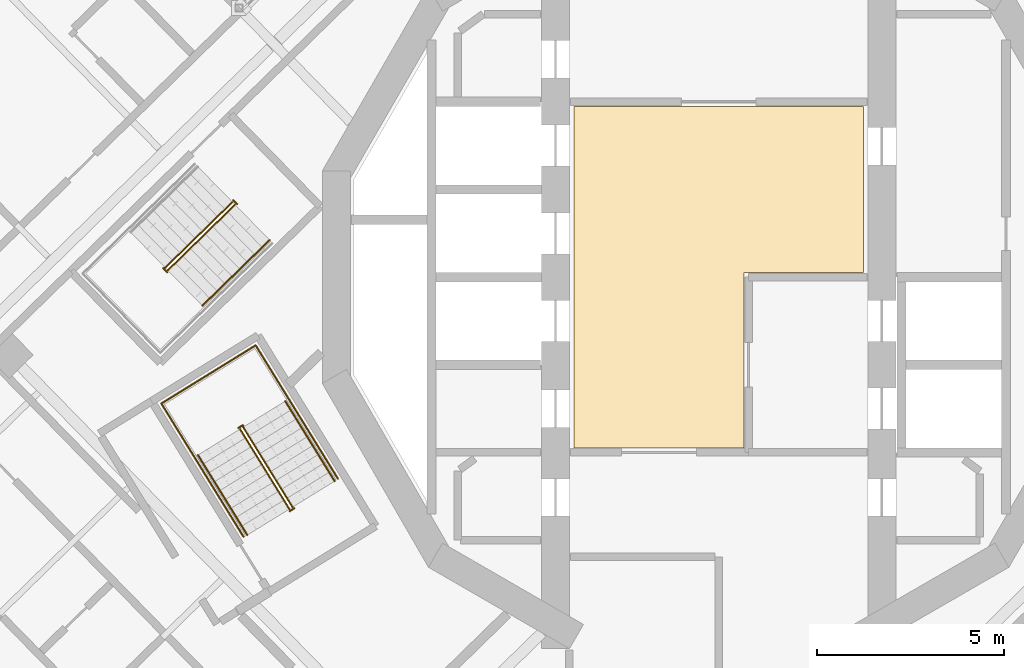
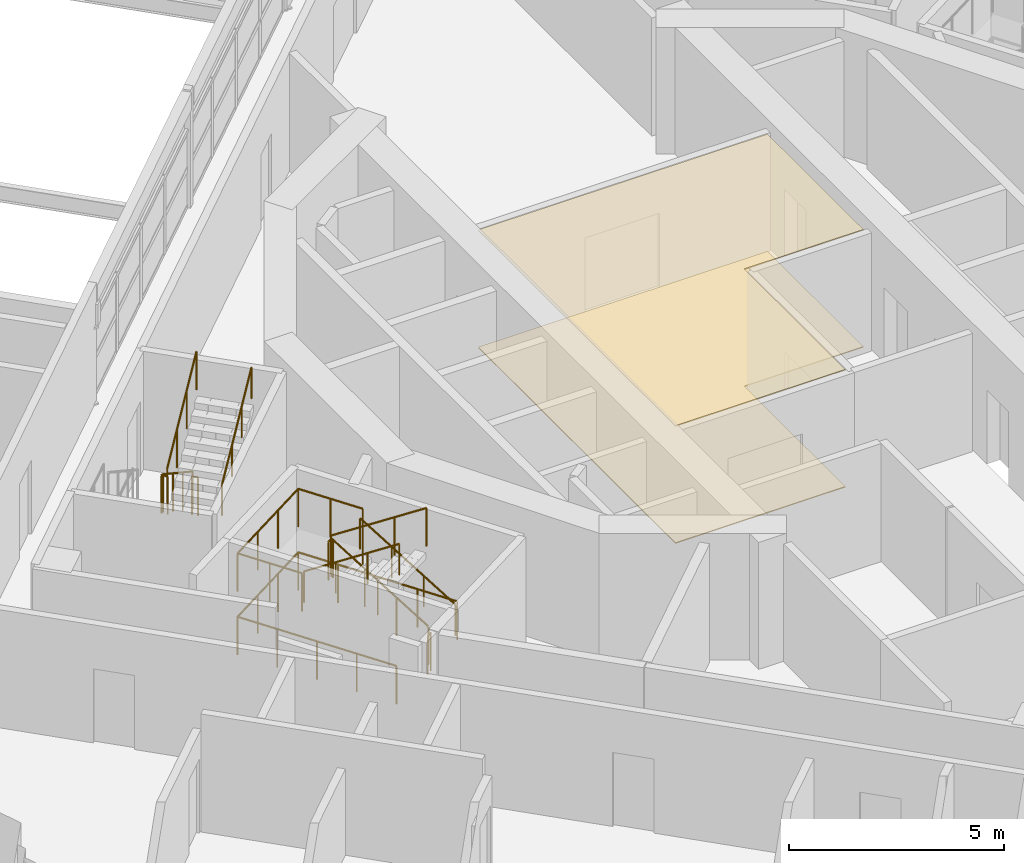
# One storey, part 14 of 18: 11 railings, 2 coverings.
"""IFC4 building model written with IfcOpenShell, lengths in metres."""

import ifcopenshell
import ifcopenshell.guid

model = None  # the IFC model being written
_history = None  # IfcOwnerHistory: only IFC2X3 demands one
_inside = {}  # id of a spatial element -> (the spatial element, [elements in it])
_under = {}  # id of a project, library or spatial element -> (it, [spatial elements below it])
_declared = {}  # id of a project -> (the project, [libraries it declares])
_typed = {}  # id of a type object -> (the type object, [elements of that type])
_made_of = {}  # id of a material, layer set ... -> (it, [elements and type objects made of it])


def new_model(schema):
    """Start an empty IFC model of exactly this schema.

    Asked for "IFC4X3", IfcOpenShell would pick the latest addendum, in which some entities
    have other attributes; the version numbers below select the first issue.
    IFC2X3 requires an IfcOwnerHistory on every rooted entity: one is made here for all.
    """
    global model, _history
    if schema == "IFC4X3":
        model = ifcopenshell.file(schema_version=(4, 3, 0, 0))
    else:
        model = ifcopenshell.file(schema=schema)
    _inside.clear()
    _under.clear()
    _declared.clear()
    _typed.clear()
    _made_of.clear()
    _history = None
    if model.schema == "IFC2X3":
        org = make("IfcOrganization", Name="unknown")
        user = make(
            "IfcPersonAndOrganization",
            ThePerson=make("IfcPerson", FamilyName="unknown"),
            TheOrganization=org,
        )
        app = make(
            "IfcApplication",
            ApplicationDeveloper=org,
            Version="unknown",
            ApplicationFullName="unknown",
            ApplicationIdentifier="unknown",
        )
        _history = make(
            "IfcOwnerHistory",
            OwningUser=user,
            OwningApplication=app,
            ChangeAction="ADDED",
            CreationDate=0,
        )
    return model


def make(cls, **values):
    """One entity of the class cls with the attributes given. An attribute that is None is left unset."""
    return model.create_entity(
        cls, **{name: value for name, value in values.items() if value is not None}
    )


def rooted(cls, **values):
    """An entity with a GlobalId (a new one), such as an element, a storey or a relation."""
    return make(cls, GlobalId=ifcopenshell.guid.new(), OwnerHistory=_history, **values)


def si_unit(unit_type, name, prefix=None):
    """IfcSIUnit, for example si_unit("LENGTHUNIT", "METRE", prefix="MILLI")."""
    return make("IfcSIUnit", UnitType=unit_type, Prefix=prefix, Name=name)


def assignment(units):
    """IfcUnitAssignment: the units of a project."""
    return None if units is None else make("IfcUnitAssignment", Units=units)


def point(xyz):
    """IfcCartesianPoint."""
    return None if xyz is None else make("IfcCartesianPoint", Coordinates=xyz)


def direction(xyz):
    """IfcDirection."""
    return None if xyz is None else make("IfcDirection", DirectionRatios=xyz)


def frame(location, z_axis=None, x_axis=None):
    """IfcAxis2Placement3D, a coordinate frame: its origin and axes. An axis left out is left unset."""
    return make(
        "IfcAxis2Placement3D",
        Location=point(location),
        Axis=direction(z_axis),
        RefDirection=direction(x_axis),
    )


def frame_2d(location, x_axis=None):
    """IfcAxis2Placement2D, a coordinate frame in the plane: its origin and x axis."""
    return make(
        "IfcAxis2Placement2D", Location=point(location), RefDirection=direction(x_axis)
    )


def origin():
    """The frame at (0, 0, 0) with its axes left unset."""
    return frame((0.0, 0.0, 0.0))


def origin_2d():
    """The frame at (0, 0) in the plane with its x axis left unset."""
    return frame_2d((0.0, 0.0))


def place(relative_to, where):
    """IfcLocalPlacement: puts the frame where relative to a parent placement (None: the world)."""
    return make(
        "IfcLocalPlacement", PlacementRelTo=relative_to, RelativePlacement=where
    )


def context(
    kind, dimensions, precision=None, world=None, true_north=None, identifier=None
):
    """IfcGeometricRepresentationContext, for example the 3D "Model" context."""
    return make(
        "IfcGeometricRepresentationContext",
        ContextIdentifier=identifier,
        ContextType=kind,
        CoordinateSpaceDimension=dimensions,
        Precision=precision,
        WorldCoordinateSystem=world,
        TrueNorth=true_north,
    )


def subcontext(parent, identifier, kind, view, scale=None):
    """IfcGeometricRepresentationSubContext, for example "Body" below "Model"."""
    return make(
        "IfcGeometricRepresentationSubContext",
        ContextIdentifier=identifier,
        ContextType=kind,
        ParentContext=parent,
        TargetScale=scale,
        TargetView=view,
    )


def project(units=None, contexts=None):
    """IfcProject with its units and contexts."""
    return rooted(
        "IfcProject",
        Name="project",
        RepresentationContexts=contexts,
        UnitsInContext=assignment(units),
    )


def spatial(cls, under=None, at=None, **own):
    """A site, building, storey or space (cls), placed at a placement, below another one or the project."""
    s = rooted(cls, ObjectPlacement=at, **own)
    if under is not None:
        _under.setdefault(under.id(), (under, []))[1].append(s)
    return s


def polyline(points):
    """IfcPolyline through the points."""
    return make("IfcPolyline", Points=[point(p) for p in points])


def profile(cls, at=None, kind="AREA", **sizes):
    """A parametric profile (cls). Its sizes go by their IFC names, for example OverallWidth=200.0."""
    return make(cls, ProfileType=kind, Position=at, **sizes)


def circle(**sizes):
    """IfcCircleProfileDef."""
    return profile("IfcCircleProfileDef", **sizes)


def outline(outer, holes=None, kind="AREA"):
    """IfcArbitraryClosedProfileDef: a profile drawn as a closed curve; with holes, ...WithVoids."""
    if holes is None:
        return make("IfcArbitraryClosedProfileDef", ProfileType=kind, OuterCurve=outer)
    return make(
        "IfcArbitraryProfileDefWithVoids",
        ProfileType=kind,
        OuterCurve=outer,
        InnerCurves=holes,
    )


def extrude(swept, where, along, depth):
    """IfcExtrudedAreaSolid: the profile swept, set in the frame where, extruded along a direction by depth."""
    return make(
        "IfcExtrudedAreaSolid",
        SweptArea=swept,
        Position=where,
        ExtrudedDirection=direction(along),
        Depth=depth,
    )


def shape(context_of_items, identifier, shape_type, items):
    """IfcShapeRepresentation: the items that make up one representation, for example the "Body"."""
    return make(
        "IfcShapeRepresentation",
        ContextOfItems=context_of_items,
        RepresentationIdentifier=identifier,
        RepresentationType=shape_type,
        Items=items,
    )


def material(Name=None, Category=None):
    """IfcMaterial."""
    return make("IfcMaterial", Name=Name, Category=Category)


def layer(
    of_material, thickness, ventilated=None, Name=None, Category=None, Priority=None
):
    """IfcMaterialLayer: one layer of a wall or slab, of a material (None: an air gap)."""
    return make(
        "IfcMaterialLayer",
        Material=of_material,
        LayerThickness=thickness,
        IsVentilated=ventilated,
        Name=Name,
        Category=Category,
        Priority=Priority,
    )


def layer_set(layers, Name=None):
    """IfcMaterialLayerSet."""
    return make("IfcMaterialLayerSet", MaterialLayers=layers, LayerSetName=Name)


def made_of(thing, what):
    """Note that an element or type object is made of a material, layer set ...; save() writes the relation."""
    if what is not None:
        _made_of.setdefault(what.id(), (what, []))[1].append(thing)
    return thing


def type_object(cls, material=None, **own):
    """A type object (cls), such as IfcWallType, which elements share."""
    return made_of(rooted(cls, **own), material)


def element(
    cls,
    number,
    at=None,
    inside=None,
    cuts=None,
    type_object=None,
    material=None,
    context=None,
    identifier="Body",
    shape_type=None,
    held_by="IfcProductDefinitionShape",
    body=None,
    shapes=None,
    **own,
):
    """One element of the class cls, such as IfcWall. Its Tag is "e" and its number.

    at: its placement. inside: the storey or other place that contains it. cuts: it is an
    opening in that element (IfcRelVoidsElement). A single representation is given by context,
    identifier, shape_type and body (its items); several are given by shapes. held_by: the class
    of the entity that holds the representations. save() writes the other relations.
    """
    e = rooted(cls, Tag="e%d" % number, ObjectPlacement=at, **own)
    if body is not None:
        shapes = [shape(context, identifier, shape_type, body)]
    if shapes is not None:
        e.Representation = make(held_by, Representations=shapes)
    if inside is not None:
        _inside.setdefault(inside.id(), (inside, []))[1].append(e)
    if cuts is not None:
        rooted(
            "IfcRelVoidsElement", RelatingBuildingElement=cuts, RelatedOpeningElement=e
        )
    if type_object is not None:
        _typed.setdefault(type_object.id(), (type_object, []))[1].append(e)
    return made_of(e, material)


def aggregate(whole, parts):
    """IfcRelAggregates: a whole, such as a stair, and the parts it consists of."""
    return rooted("IfcRelAggregates", RelatingObject=whole, RelatedObjects=parts)


def save(model, path):
    """Write the relations noted so far, then the file.

    IfcRelAggregates (storeys below a building ...), IfcRelContainedInSpatialStructure (elements
    in a storey), IfcRelDefinesByType, IfcRelAssociatesMaterial and IfcRelDeclares: one each for
    every whole, place, type object, material and project.
    """
    for whole, parts in _under.values():
        aggregate(whole, parts)
    for where, things in _inside.values():
        rooted(
            "IfcRelContainedInSpatialStructure",
            RelatedElements=things,
            RelatingStructure=where,
        )
    for kind, things in _typed.values():
        rooted("IfcRelDefinesByType", RelatedObjects=things, RelatingType=kind)
    for what, things in _made_of.values():
        rooted("IfcRelAssociatesMaterial", RelatedObjects=things, RelatingMaterial=what)
    for by, libraries in _declared.values():
        rooted("IfcRelDeclares", RelatingContext=by, RelatedDefinitions=libraries)
    model.write(path)


model = new_model("IFC4")

# Units and contexts
model_context = context("Model", 3, precision=1e-05, world=origin(), true_north=direction((0.0, 1.0)))
body_context = subcontext(model_context, "Body", "Model", "MODEL_VIEW")
ifc_project = project(units=[si_unit("LENGTHUNIT", "METRE"), si_unit("AREAUNIT", "SQUARE_METRE"), si_unit("VOLUMEUNIT", "CUBIC_METRE"), si_unit("PLANEANGLEUNIT", "RADIAN"), si_unit("MASSUNIT", "GRAM", prefix="KILO")], contexts=[model_context])

# Site, building, storey
site_placement = place(None, origin())
site = spatial("IfcSite", under=ifc_project, at=site_placement, CompositionType="ELEMENT")
building_placement = place(site_placement, origin())
building = spatial("IfcBuilding", under=site, at=building_placement, Name="Cantera Rosa Tower", CompositionType="ELEMENT")
storey_placement = place(building_placement, frame((0.0, 0.0, 219.800048828125)))
storey = spatial("IfcBuildingStorey", under=building, at=storey_placement, Name="L47", CompositionType="ELEMENT", Elevation=219.800048828125)

# Railings
ifc_material_1 = material(Name="Steel S355J2 (EN 10025-2)", Category="steel")
railing_type_1 = type_object("IfcRailingType", Name="STAIR GUARD 1100", PredefinedType="GUARDRAIL", material=ifc_material_1)
railing_1_placement = place(storey_placement, frame((-13.032958984375, 2.013427734375, 0.179931640625)))
element("IfcRailing", 1, at=railing_1_placement, inside=storey, type_object=railing_type_1, Name="L47 ST-43 stair guard 1", PredefinedType="GUARDRAIL", context=body_context, shape_type="SweptSolid", body=[
    extrude(circle(Radius=0.02392578125, at=origin_2d()), frame((0.0, 0.0, 1.076171875), z_axis=(-0.601672219931, -0.587818193466, 0.54079599776), x_axis=(0.698823692472, -0.715293958342, 0.0)), (0.0, 0.0, 1.0), 2.995849609375),
    extrude(circle(Radius=0.02392578125, at=origin_2d()), frame((-1.802490234375, -1.760986328125, 2.6962890625), z_axis=(-0.956987977523, -0.290127576896, 0.0), x_axis=(0.290127576896, -0.956987977523, 0.0)), (0.0, 0.0, 1.0), 0.056396484375),
    extrude(circle(Radius=0.02392578125, at=origin_2d()), frame((-1.8564453125, -1.77734375, 2.6962890625), z_axis=(0.698932947801, -0.715187202401, 0.0), x_axis=(0.715187202401, 0.698932947801, 0.0)), (0.0, 0.0, 1.0), 0.150146484375),
    extrude(circle(Radius=0.02099609375, at=origin_2d()), origin(), (0.0, 0.0, 1.0), 1.052001953125),
    extrude(circle(Radius=0.02099609375, at=origin_2d()), frame((-0.600830078125, -0.5869140625, 0.5400390625)), (0.0, 0.0, 1.0), 1.052001953125),
    extrude(circle(Radius=0.02099609375, at=origin_2d()), frame((-1.20166015625, -1.174072265625, 1.080078125)), (0.0, 0.0, 1.0), 1.052001953125),
    extrude(circle(Radius=0.02099609375, at=origin_2d()), frame((-1.802490234375, -1.760986328125, 1.6201171875)), (0.0, 0.0, 1.0), 1.052001953125),
    extrude(circle(Radius=0.02099609375, at=origin_2d()), frame((-1.8564453125, -1.77734375, 1.6201171875)), (0.0, 0.0, 1.0), 1.052001953125),
    extrude(circle(Radius=0.02099609375, at=origin_2d()), frame((-1.75146484375, -1.884765625, 1.6201171875)), (0.0, 0.0, 1.0), 1.052001953125),
])
railing_2_placement = place(storey_placement, frame((-14.766845703125, 0.182373046875, 1.97998046875)))
element("IfcRailing", 2, at=railing_2_placement, inside=storey, type_object=railing_type_1, Name="L47 ST-43 stair guard 2", PredefinedType="GUARDRAIL", context=body_context, shape_type="SweptSolid", body=[
    extrude(circle(Radius=0.02392578125, at=origin_2d()), frame((0.0, 0.0, 1.076171875), z_axis=(0.60169873645, 0.587844099419, 0.540738333515), x_axis=(-0.698823692472, 0.715293958342, 0.0)), (0.0, 0.0, 1.0), 2.99560546875),
    extrude(circle(Radius=0.02099609375, at=origin_2d()), origin(), (0.0, 0.0, 1.0), 1.052001953125),
    extrude(circle(Radius=0.02099609375, at=origin_2d()), frame((0.600830078125, 0.5869140625, 0.5400390625)), (0.0, 0.0, 1.0), 1.052001953125),
    extrude(circle(Radius=0.02099609375, at=origin_2d()), frame((1.20166015625, 1.174072265625, 1.079833984375)), (0.0, 0.0, 1.0), 1.052001953125),
    extrude(circle(Radius=0.02099609375, at=origin_2d()), frame((1.802490234375, 1.760986328125, 1.619873046875)), (0.0, 0.0, 1.0), 1.052001953125),
])
railing_3_placement = place(storey_placement, frame((-13.01513671875, 2.06689453125, 0.0)))
element("IfcRailing", 3, at=railing_3_placement, inside=storey, type_object=railing_type_1, Name="L47 ST-43 stair guard 3", PredefinedType="GUARDRAIL", context=body_context, shape_type="SweptSolid", body=[
    extrude(circle(Radius=0.02392578125, at=origin_2d()), frame((0.0, 0.0, 1.076171875), z_axis=(0.698914008722, -0.715205710557, 0.0), x_axis=(0.715205710557, 0.698914008722, 0.0)), (0.0, 0.0, 1.0), 0.14990234375),
    extrude(circle(Radius=0.02099609375, at=origin_2d()), origin(), (0.0, 0.0, 1.0), 1.052001953125),
    extrude(circle(Radius=0.02099609375, at=origin_2d()), frame((0.104736328125, -0.107177734375, 0.0)), (0.0, 0.0, 1.0), 1.052001953125),
])
railing_4_placement = place(storey_placement, frame((-11.42333984375, -6.165771484375, 0.179931640625)))
element("IfcRailing", 4, at=railing_4_placement, inside=storey, type_object=railing_type_1, Name="L47 ST-44 stair guard 1", PredefinedType="GUARDRAIL", context=body_context, shape_type="SweptSolid", body=[
    extrude(circle(Radius=0.02392578125, at=origin_2d()), frame((0.0, 0.0, 1.076171875), z_axis=(-0.441609067481, 0.715913574058, 0.540785711718), x_axis=(-0.851102330005, -0.524999832248, 0.0)), (0.0, 0.0, 1.0), 2.995849609375),
    extrude(circle(Radius=0.02392578125, at=origin_2d()), frame((-1.322998046875, 2.144775390625, 2.6962890625), z_axis=(-0.073711968402, 0.997279572494, 0.0), x_axis=(-0.997279572494, -0.073711968402, 0.0)), (0.0, 0.0, 1.0), 0.056396484375),
    extrude(circle(Radius=0.02392578125, at=origin_2d()), frame((-1.3271484375, 2.200927734375, 2.6962890625), z_axis=(-0.851546489876, -0.524279100842, 0.0), x_axis=(0.524279100842, -0.851546489876, 0.0)), (0.0, 0.0, 1.0), 0.14990234375),
    extrude(circle(Radius=0.02099609375, at=origin_2d()), origin(), (0.0, 0.0, 1.0), 1.052001953125),
    extrude(circle(Radius=0.02099609375, at=origin_2d()), frame((-0.44091796875, 0.71484375, 0.5400390625)), (0.0, 0.0, 1.0), 1.052001953125),
    extrude(circle(Radius=0.02099609375, at=origin_2d()), frame((-0.882080078125, 1.429931640625, 1.080078125)), (0.0, 0.0, 1.0), 1.052001953125),
    extrude(circle(Radius=0.02099609375, at=origin_2d()), frame((-1.322998046875, 2.144775390625, 1.6201171875)), (0.0, 0.0, 1.0), 1.052001953125),
    extrude(circle(Radius=0.02099609375, at=origin_2d()), frame((-1.3271484375, 2.200927734375, 1.6201171875)), (0.0, 0.0, 1.0), 1.052001953125),
    extrude(circle(Radius=0.02099609375, at=origin_2d()), frame((-1.454833984375, 2.122314453125, 1.6201171875)), (0.0, 0.0, 1.0), 1.052001953125),
])
railing_5_placement = place(storey_placement, frame((-12.82958984375, -4.072509765625, 1.97998046875)))
element("IfcRailing", 5, at=railing_5_placement, inside=storey, type_object=railing_type_1, Name="L47 ST-44 stair guard 2", PredefinedType="GUARDRAIL", context=body_context, shape_type="SweptSolid", body=[
    extrude(circle(Radius=0.02392578125, at=origin_2d()), frame((0.0, 0.0, 1.076171875), z_axis=(0.441562923896, -0.715970890813, 0.540747508315), x_axis=(0.851145618652, 0.524929648476, 0.0)), (0.0, 0.0, 1.0), 2.99560546875),
    extrude(circle(Radius=0.02099609375, at=origin_2d()), origin(), (0.0, 0.0, 1.0), 1.052001953125),
    extrude(circle(Radius=0.02099609375, at=origin_2d()), frame((0.44091796875, -0.71484375, 0.5400390625)), (0.0, 0.0, 1.0), 1.052001953125),
    extrude(circle(Radius=0.02099609375, at=origin_2d()), frame((0.8818359375, -1.429931640625, 1.079833984375)), (0.0, 0.0, 1.0), 1.052001953125),
    extrude(circle(Radius=0.02099609375, at=origin_2d()), frame((1.32275390625, -2.144775390625, 1.619873046875)), (0.0, 0.0, 1.0), 1.052001953125),
])
railing_6_placement = place(storey_placement, frame((-11.375, -6.19482421875, 0.0)))
element("IfcRailing", 6, at=railing_6_placement, inside=storey, type_object=railing_type_1, Name="L47 ST-44 stair guard 3", PredefinedType="GUARDRAIL", context=body_context, shape_type="SweptSolid", body=[
    extrude(circle(Radius=0.02392578125, at=origin_2d()), frame((0.0, 0.0, 1.076171875), z_axis=(-0.851546489876, -0.524279100842, 0.0), x_axis=(0.524279100842, -0.851546489876, 0.0)), (0.0, 0.0, 1.0), 0.14990234375),
    extrude(circle(Radius=0.02099609375, at=origin_2d()), origin(), (0.0, 0.0, 1.0), 1.052001953125),
    extrude(circle(Radius=0.02099609375, at=origin_2d()), frame((-0.127685546875, -0.07861328125, 0.0)), (0.0, 0.0, 1.0), 1.052001953125),
])
railing_7_placement = place(storey_placement, frame((-10.20751953125, -5.40185546875, 0.0)))
element("IfcRailing", 7, at=railing_7_placement, inside=storey, type_object=railing_type_1, Name="L47 ST-44 stair guard 4", PredefinedType="GUARDRAIL", context=body_context, shape_type="SweptSolid", body=[
    extrude(circle(Radius=0.02392578125, at=origin_2d()), frame((0.0, 0.0, 1.076171875), z_axis=(-0.524976478809, 0.851116735059, 0.0), x_axis=(-0.851116735059, -0.524976478809, 0.0)), (0.0, 0.0, 1.0), 4.197998046875),
    extrude(circle(Radius=0.02392578125, at=origin_2d()), frame((-2.203857421875, 3.572998046875, 1.076171875), z_axis=(-0.851132917336, -0.524950242429, 0.0), x_axis=(0.524950242429, -0.851132917336, 0.0)), (0.0, 0.0, 1.0), 2.969970703125),
    extrude(circle(Radius=0.02392578125, at=origin_2d()), frame((-4.731689453125, 2.013916015625, 1.076171875), z_axis=(0.524976478809, -0.851116735059, 0.0), x_axis=(0.851116735059, 0.524976478809, 0.0)), (0.0, 0.0, 1.0), 4.197998046875),
    extrude(circle(Radius=0.02099609375, at=origin_2d()), origin(), (0.0, 0.0, 1.0), 1.052001953125),
    extrude(circle(Radius=0.02099609375, at=origin_2d()), frame((-0.551025390625, 0.893310546875, 0.0)), (0.0, 0.0, 1.0), 1.052001953125),
    extrude(circle(Radius=0.02099609375, at=origin_2d()), frame((-1.10205078125, 1.78662109375, 0.0)), (0.0, 0.0, 1.0), 1.052001953125),
    extrude(circle(Radius=0.02099609375, at=origin_2d()), frame((-1.65283203125, 2.6796875, 0.0)), (0.0, 0.0, 1.0), 1.052001953125),
    extrude(circle(Radius=0.02099609375, at=origin_2d()), frame((-2.203857421875, 3.572998046875, 0.0)), (0.0, 0.0, 1.0), 1.052001953125),
    extrude(circle(Radius=0.02099609375, at=origin_2d()), frame((-3.04638671875, 3.05322265625, 0.0)), (0.0, 0.0, 1.0), 1.052001953125),
    extrude(circle(Radius=0.02099609375, at=origin_2d()), frame((-3.88916015625, 2.53369140625, 0.0)), (0.0, 0.0, 1.0), 1.052001953125),
    extrude(circle(Radius=0.02099609375, at=origin_2d()), frame((-4.731689453125, 2.013916015625, 0.0)), (0.0, 0.0, 1.0), 1.052001953125),
    extrude(circle(Radius=0.02099609375, at=origin_2d()), frame((-4.1806640625, 1.12060546875, 0.0)), (0.0, 0.0, 1.0), 1.052001953125),
    extrude(circle(Radius=0.02099609375, at=origin_2d()), frame((-3.6298828125, 0.2275390625, 0.0)), (0.0, 0.0, 1.0), 1.052001953125),
    extrude(circle(Radius=0.02099609375, at=origin_2d()), frame((-3.078857421875, -0.665771484375, 0.0)), (0.0, 0.0, 1.0), 1.052001953125),
    extrude(circle(Radius=0.02099609375, at=origin_2d()), frame((-2.52783203125, -1.55908203125, 0.0)), (0.0, 0.0, 1.0), 1.052001953125),
])
railing_8_placement = place(storey_placement, frame((-11.517822265625, -3.27734375, 1.800048828125)))
element("IfcRailing", 8, at=railing_8_placement, inside=storey, type_object=railing_type_1, Name="L47 ST-44 stair guard 5", PredefinedType="GUARDRAIL", context=body_context, shape_type="SweptSolid", body=[
    extrude(circle(Radius=0.02392578125, at=origin_2d()), frame((0.0, 0.0, 1.076171875), z_axis=(-0.525025534833, 0.851086474909, 0.0), x_axis=(-0.851086474909, -0.525025534833, 0.0)), (0.0, 0.0, 1.0), 1.701904296875),
    extrude(circle(Radius=0.02392578125, at=origin_2d()), frame((-0.8935546875, 1.448486328125, 1.076171875), z_axis=(-0.851132917336, -0.524950242429, 0.0), x_axis=(0.524950242429, -0.851132917336, 0.0)), (0.0, 0.0, 1.0), 2.969970703125),
    extrude(circle(Radius=0.02392578125, at=origin_2d()), frame((-3.42138671875, -0.110595703125, 1.076171875), z_axis=(0.524961441845, -0.851126009811, 0.0), x_axis=(0.851126009811, 0.524961441845, 0.0)), (0.0, 0.0, 1.0), 1.7021484375),
    extrude(circle(Radius=0.02099609375, at=origin_2d()), origin(), (0.0, 0.0, 1.0), 1.052001953125),
    extrude(circle(Radius=0.02099609375, at=origin_2d()), frame((-0.44677734375, 0.72412109375, 0.0)), (0.0, 0.0, 1.0), 1.052001953125),
    extrude(circle(Radius=0.02099609375, at=origin_2d()), frame((-0.8935546875, 1.448486328125, 0.0)), (0.0, 0.0, 1.0), 1.052001953125),
    extrude(circle(Radius=0.02099609375, at=origin_2d()), frame((-1.736083984375, 0.9287109375, 0.0)), (0.0, 0.0, 1.0), 1.052001953125),
    extrude(circle(Radius=0.02099609375, at=origin_2d()), frame((-2.578857421875, 0.4091796875, 0.0)), (0.0, 0.0, 1.0), 1.052001953125),
    extrude(circle(Radius=0.02099609375, at=origin_2d()), frame((-3.42138671875, -0.110595703125, 0.0)), (0.0, 0.0, 1.0), 1.052001953125),
    extrude(circle(Radius=0.02099609375, at=origin_2d()), frame((-2.974609375, -0.8349609375, 0.0)), (0.0, 0.0, 1.0), 1.052001953125),
    extrude(circle(Radius=0.02099609375, at=origin_2d()), frame((-2.52783203125, -1.559326171875, 0.0)), (0.0, 0.0, 1.0), 1.052001953125),
])
ifc_material_2 = material(Name="Steel S355J2 (EN 10025-2)", Category="steel")
railing_type_2 = type_object("IfcRailingType", Name="STAIR HANDRAIL 900", PredefinedType="HANDRAIL", material=ifc_material_2)
railing_9_placement = place(storey_placement, frame((-13.84033203125, -0.76611328125, 1.97998046875)))
element("IfcRailing", 9, at=railing_9_placement, inside=storey, type_object=railing_type_2, Name="L47 ST-43 stair handrail 2", PredefinedType="HANDRAIL", context=body_context, shape_type="SweptSolid", body=[
    extrude(circle(Radius=0.02392578125, at=origin_2d()), frame((0.0, 0.0, 0.8759765625), z_axis=(0.601750724892, 0.587815273381, 0.540711817397), x_axis=(-0.698775265409, 0.715341267126, 0.0)), (0.0, 0.0, 1.0), 2.995849609375),
    extrude(circle(Radius=0.02099609375, at=origin_2d()), origin(), (0.0, 0.0, 1.0), 0.851806640625),
    extrude(circle(Radius=0.02099609375, at=origin_2d()), frame((0.600830078125, 0.5869140625, 0.5400390625)), (0.0, 0.0, 1.0), 0.851806640625),
    extrude(circle(Radius=0.02099609375, at=origin_2d()), frame((1.201904296875, 1.174072265625, 1.079833984375)), (0.0, 0.0, 1.0), 0.851806640625),
    extrude(circle(Radius=0.02099609375, at=origin_2d()), frame((1.802734375, 1.760986328125, 1.619873046875)), (0.0, 0.0, 1.0), 0.851806640625),
])
railing_10_placement = place(storey_placement, frame((-10.294677734375, -5.4697265625, 0.179931640625)))
element("IfcRailing", 10, at=railing_10_placement, inside=storey, type_object=railing_type_2, Name="L47 ST-44 stair handrail 1", PredefinedType="HANDRAIL", context=body_context, shape_type="SweptSolid", body=[
    extrude(circle(Radius=0.02392578125, at=origin_2d()), frame((0.0, 0.0, 0.8759765625), z_axis=(-0.441609067481, 0.715913574058, 0.540785711718), x_axis=(-0.851102330005, -0.524999832248, 0.0)), (0.0, 0.0, 1.0), 2.995849609375),
    extrude(circle(Radius=0.02099609375, at=origin_2d()), origin(), (0.0, 0.0, 1.0), 0.851806640625),
    extrude(circle(Radius=0.02099609375, at=origin_2d()), frame((-0.44091796875, 0.71484375, 0.5400390625)), (0.0, 0.0, 1.0), 0.851806640625),
    extrude(circle(Radius=0.02099609375, at=origin_2d()), frame((-0.882080078125, 1.429931640625, 1.080078125)), (0.0, 0.0, 1.0), 0.851806640625),
    extrude(circle(Radius=0.02099609375, at=origin_2d()), frame((-1.322998046875, 2.144775390625, 1.6201171875)), (0.0, 0.0, 1.0), 0.851806640625),
])
railing_11_placement = place(storey_placement, frame((-13.958251953125, -4.7685546875, 1.97998046875)))
element("IfcRailing", 11, at=railing_11_placement, inside=storey, type_object=railing_type_2, Name="L47 ST-44 stair handrail 2", PredefinedType="HANDRAIL", context=body_context, shape_type="SweptSolid", body=[
    extrude(circle(Radius=0.02392578125, at=origin_2d()), frame((0.0, 0.0, 0.8759765625), z_axis=(0.441628529057, -0.715945124149, 0.540728047664), x_axis=(0.851102330005, 0.524999832248, 0.0)), (0.0, 0.0, 1.0), 2.99560546875),
    extrude(circle(Radius=0.02099609375, at=origin_2d()), origin(), (0.0, 0.0, 1.0), 0.851806640625),
    extrude(circle(Radius=0.02099609375, at=origin_2d()), frame((0.44091796875, -0.71484375, 0.5400390625)), (0.0, 0.0, 1.0), 0.851806640625),
    extrude(circle(Radius=0.02099609375, at=origin_2d()), frame((0.882080078125, -1.429931640625, 1.079833984375)), (0.0, 0.0, 1.0), 0.851806640625),
    extrude(circle(Radius=0.02099609375, at=origin_2d()), frame((1.322998046875, -2.144775390625, 1.619873046875)), (0.0, 0.0, 1.0), 0.851806640625),
])

# Coverings
ifc_material_3 = material(Name="Limestone paving", Category="masonry")
ifc_layer_1 = layer(ifc_material_3, 0.02490234375)
ifc_layer_set_1 = layer_set([ifc_layer_1], Name="STONE FLOOR FINISH 25")
covering_type_1 = type_object("IfcCoveringType", Name="STONE FLOOR FINISH 25", PredefinedType="FLOORING", material=ifc_layer_set_1)
covering_1_placement = place(storey_placement, origin())
element("IfcCovering", 12, at=covering_1_placement, inside=storey, type_object=covering_type_1, Name="STONE FLOOR FINISH L47", PredefinedType="FLOORING", context=body_context, shape_type="SweptSolid", body=[
    extrude(outline(polyline([(3.8798828125, 4.580078125), (3.8798828125, 0.1201171875), (0.679931640625, 0.1201171875), (0.679931640625, -4.580078125), (-3.8798828125, -4.580078125), (-3.8798828125, 4.580078125), (3.8798828125, 4.580078125)])), origin(), (0.0, 0.0, 1.0), 0.02490234375),
])
ifc_material_4 = material(Name="Gypsum ceiling tile")
ifc_layer_2 = layer(ifc_material_4, 0.030029296875)
ifc_layer_set_2 = layer_set([ifc_layer_2], Name="SUSPENDED CEILING 30")
covering_type_2 = type_object("IfcCoveringType", Name="SUSPENDED CEILING 30", PredefinedType="CEILING", material=ifc_layer_set_2)
covering_2_placement = place(storey_placement, frame((0.0, 0.0, 3.320068359375)))
element("IfcCovering", 13, at=covering_2_placement, inside=storey, type_object=covering_type_2, Name="SUSPENDED CEILING L47", PredefinedType="CEILING", context=body_context, shape_type="SweptSolid", body=[
    extrude(outline(polyline([(3.8798828125, 4.580078125), (3.8798828125, 0.1201171875), (0.679931640625, 0.1201171875), (0.679931640625, -4.580078125), (-3.8798828125, -4.580078125), (-3.8798828125, 4.580078125), (3.8798828125, 4.580078125)])), origin(), (0.0, 0.0, 1.0), 0.02978515625),
])

save(model, "model.ifc")
